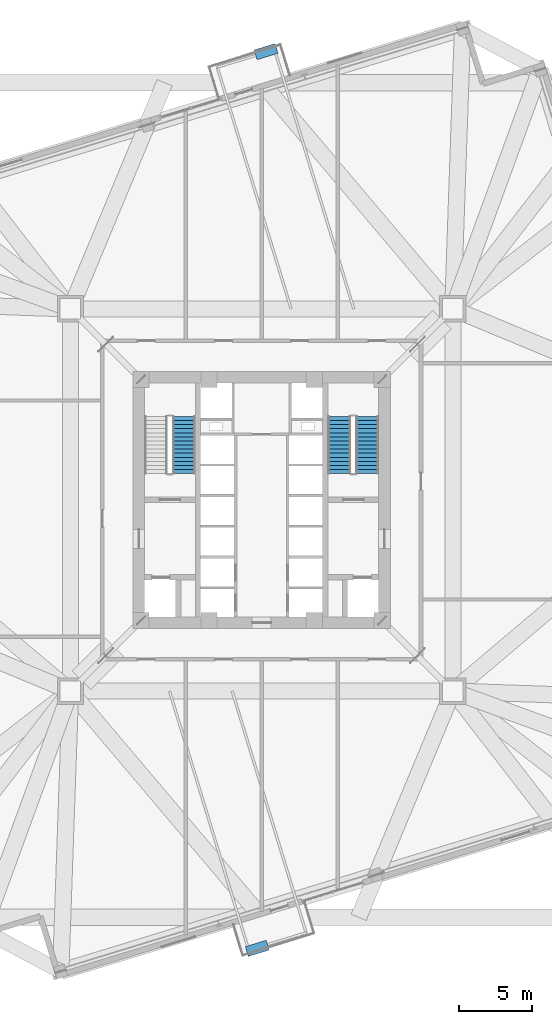
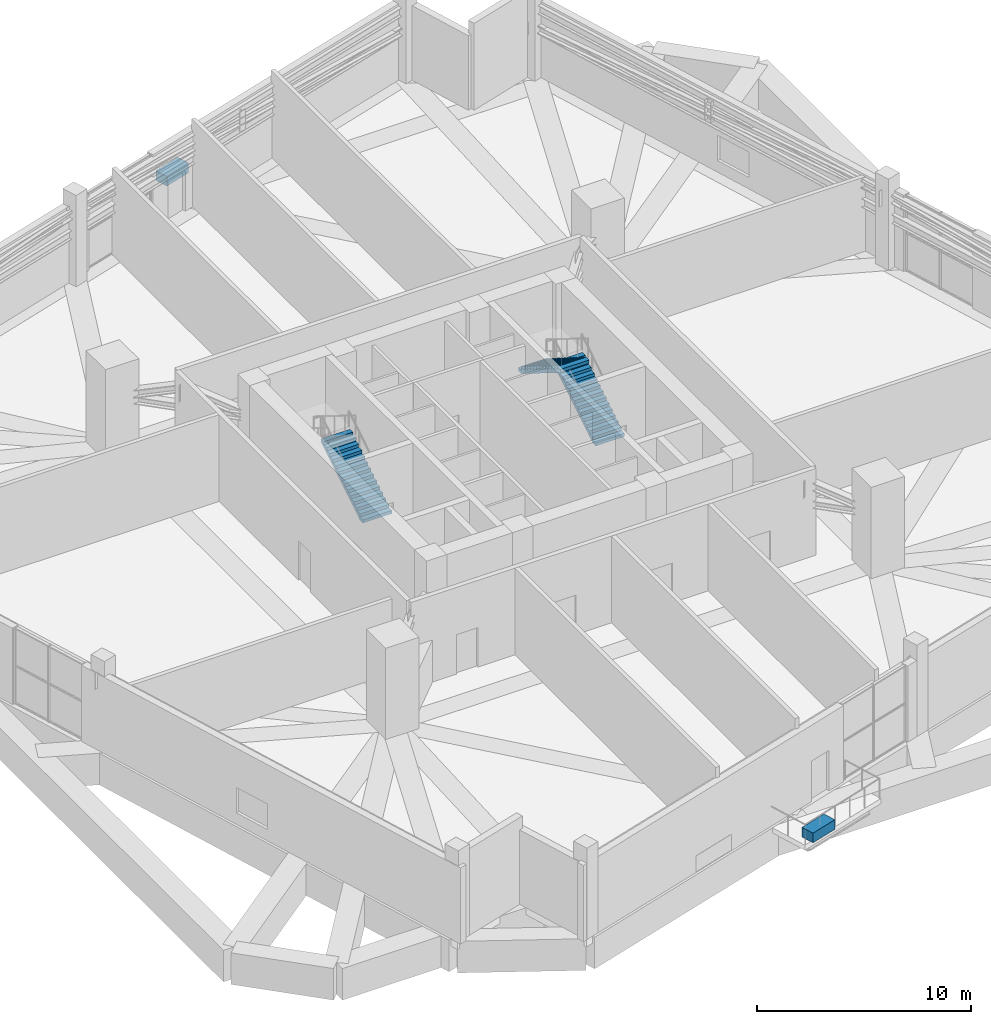
# One storey, part 19 of 22: 3 stair flights, 2 discrete accessories, 2 elements without a shape of their own.
"""IFC4 building model written with IfcOpenShell, lengths in metres."""

from ifc_helpers import new_model, si_unit, direction, frame, origin, origin_2d, place, context, subcontext, project, spatial, polyline, rectangle, outline, extrude, source, transform, mapped, material, type_object, element, aggregate, save


model = new_model("IFC4")

# Units and contexts
model_context = context("Model", 3, precision=1e-05, world=origin(), true_north=direction((0.0, 1.0)))
body_context = subcontext(model_context, "Body", "Model", "MODEL_VIEW")
ifc_project = project(units=[si_unit("LENGTHUNIT", "METRE"), si_unit("AREAUNIT", "SQUARE_METRE"), si_unit("VOLUMEUNIT", "CUBIC_METRE"), si_unit("PLANEANGLEUNIT", "RADIAN"), si_unit("MASSUNIT", "GRAM", prefix="KILO"), si_unit("THERMODYNAMICTEMPERATUREUNIT", "KELVIN")], contexts=[model_context])

# Site, building, storey
site_placement = place(None, origin())
site = spatial("IfcSite", under=ifc_project, at=site_placement, CompositionType="ELEMENT")
building_placement = place(site_placement, origin())
building = spatial("IfcBuilding", under=site, at=building_placement, Name="Kosmvard Interchange Tower", CompositionType="ELEMENT")
storey_placement = place(building_placement, frame((0.0, 0.0, 78.0)))
storey = spatial("IfcBuildingStorey", under=building, at=storey_placement, Name="L18", CompositionType="ELEMENT", Elevation=78.0)

# Stair, stair flight
ifc_material_1 = material(Name="Concrete C50/60", Category="concrete")
stair_type = type_object("IfcStairType", Name="Dog-Leg Core Exit Stair H5200 C50/60", PredefinedType="HALF_TURN_STAIR", material=ifc_material_1)
stair_1_placement = place(storey_placement, origin())
stair_1 = element("IfcStair", 1, at=stair_1_placement, inside=storey, type_object=stair_type, Name="L18 Protected Exit Stair ST-1", PredefinedType="HALF_TURN_STAIR")
stair_flight_type = type_object("IfcStairFlightType", Name="Core Stair Flight W1550 H5200 C50/60", PredefinedType="STRAIGHT", material=ifc_material_1)
shared_shape_1 = source(origin(), body_context, "Body", "SweptSolid", [
    extrude(outline(polyline([(0.0, 0.0), (0.0, 0.17333984375), (0.280029296875, 0.17333984375), (0.280029296875, 0.3466796875), (0.56005859375, 0.3466796875), (0.56005859375, 0.52001953125), (0.840087890625, 0.52001953125), (0.840087890625, 0.693359375), (1.1201171875, 0.693359375), (1.1201171875, 0.86669921875), (1.39990234375, 0.86669921875), (1.39990234375, 1.0400390625), (1.679931640625, 1.0400390625), (1.679931640625, 1.21337890625), (1.9599609375, 1.21337890625), (1.9599609375, 1.38671875), (2.239990234375, 1.38671875), (2.239990234375, 1.56005859375), (2.52001953125, 1.56005859375), (2.52001953125, 1.7333984375), (2.800048828125, 1.7333984375), (2.800048828125, 1.90673828125), (3.080078125, 1.90673828125), (3.080078125, 2.080078125), (3.360107421875, 2.080078125), (3.360107421875, 2.25341796875), (3.639892578125, 2.25341796875), (3.639892578125, 2.4267578125), (3.919921875, 2.4267578125), (3.919921875, 2.60009765625), (3.919921875, 2.238525390625), (0.3037109375, 0.0), (0.0, 0.0)])), frame((0.0, 0.77490234375, 0.0), z_axis=(0.0, -1.0, 0.0), x_axis=(1.0, 0.0, 0.0)), (0.0, 0.0, 1.0), 1.550048828125),
])
stair_flight_1_placement = place(storey_placement, frame((-5.31494140625, 1.800048828125, 0.0), z_axis=(0.0, 0.0, 1.0), x_axis=(0.0, 1.0, 0.0)))
stair_flight_1 = element("IfcStairFlight", 2, at=stair_flight_1_placement, type_object=stair_flight_type, Name="ST-1 flight 1", NumberOfRisers=15, NumberOfTreads=14, PredefinedType="STRAIGHT", RiserHeight=0.173333333, TreadLength=0.28, context=body_context, shape_type="MappedRepresentation", body=[
    mapped(shared_shape_1, transform((0.0, 0.0, 0.0), scale=1.0)),
])
aggregate(stair_1, [stair_flight_1])

# Stair, stair flights
stair_2_placement = place(storey_placement, origin())
stair_2 = element("IfcStair", 3, at=stair_2_placement, inside=storey, type_object=stair_type, Name="L18 Protected Exit Stair ST-2", PredefinedType="HALF_TURN_STAIR")
stair_flight_2_placement = place(storey_placement, frame((7.22509765625, 1.800048828125, 0.0), z_axis=(0.0, 0.0, 1.0), x_axis=(0.0, 1.0, 0.0)))
stair_flight_2 = element("IfcStairFlight", 4, at=stair_flight_2_placement, type_object=stair_flight_type, Name="ST-2 flight 1", NumberOfRisers=15, NumberOfTreads=14, PredefinedType="STRAIGHT", RiserHeight=0.173333333, TreadLength=0.28, context=body_context, shape_type="MappedRepresentation", body=[
    mapped(shared_shape_1, transform((0.0, 0.0, 0.0), scale=1.0)),
])
stair_flight_3_placement = place(storey_placement, frame((5.31494140625, 5.719970703125, 2.60009765625), z_axis=(0.0, 0.0, 1.0), x_axis=(0.0, -1.0, 0.0)))
stair_flight_3 = element("IfcStairFlight", 5, at=stair_flight_3_placement, type_object=stair_flight_type, Name="ST-2 flight 2", NumberOfRisers=15, NumberOfTreads=14, PredefinedType="STRAIGHT", RiserHeight=0.173333333, TreadLength=0.28, context=body_context, shape_type="MappedRepresentation", body=[
    mapped(shared_shape_1, transform((0.0, 0.0, 0.0), scale=1.0)),
])
aggregate(stair_2, [stair_flight_2, stair_flight_3])

# Discrete accessories
ifc_material_2 = material(Name="Terracotta precast planter concrete C45/55", Category="masonry")
discrete_accessory_type = type_object("IfcDiscreteAccessoryType", Name="Precast Tree-Balcony & Terrace Planter Box", PredefinedType="USERDEFINED", material=ifc_material_2)
shared_shape_2 = source(origin(), body_context, "Body", "SweptSolid", [
    extrude(rectangle(XDim=1.5, YDim=0.699951171875, at=origin_2d()), origin(), (0.0, 0.0, 1.0), 0.550048828125),
])
for number, where, z_axis, x_axis, name in (
    (6, (0.2998046875, 30.67431640625, 0.0), (0.0, 0.0, 1.0), (0.956304755963, 0.292371704723, 0.0), "L18 Sky-Garden Planter SKG-L18-N"),
    (7, (-0.2998046875, -30.67431640625, 0.0), (0.0, 0.0, 1.0), (0.956304755963, 0.292371704723, 0.0), "L18 Sky-Garden Planter SKG-L18-S"),
):
    element("IfcDiscreteAccessory", number, at=place(storey_placement, frame(where, z_axis=z_axis, x_axis=x_axis)), inside=storey, type_object=discrete_accessory_type, Name=name, ObjectType="PLANTER", PredefinedType="USERDEFINED", context=body_context, shape_type="MappedRepresentation", body=[
        mapped(shared_shape_2, transform((0.0, 0.0, 0.0), scale=1.0)),
    ])

save(model, "model.ifc")
